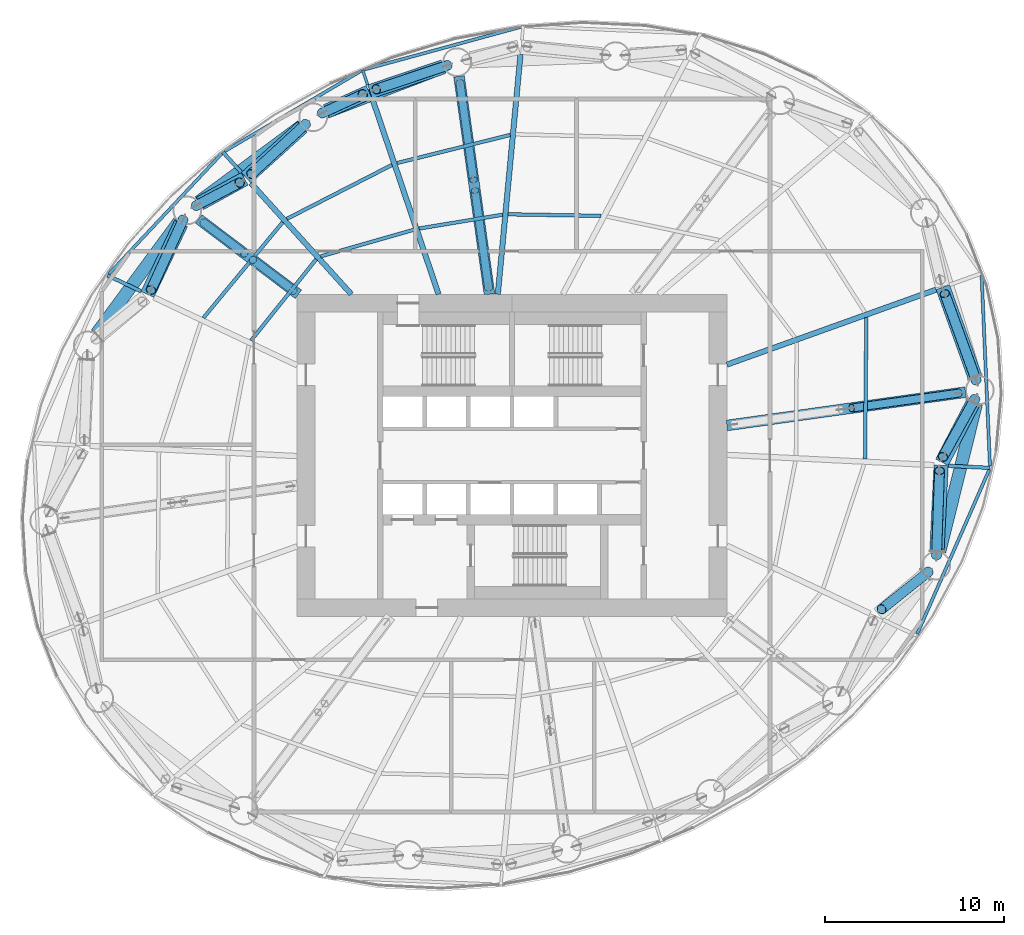
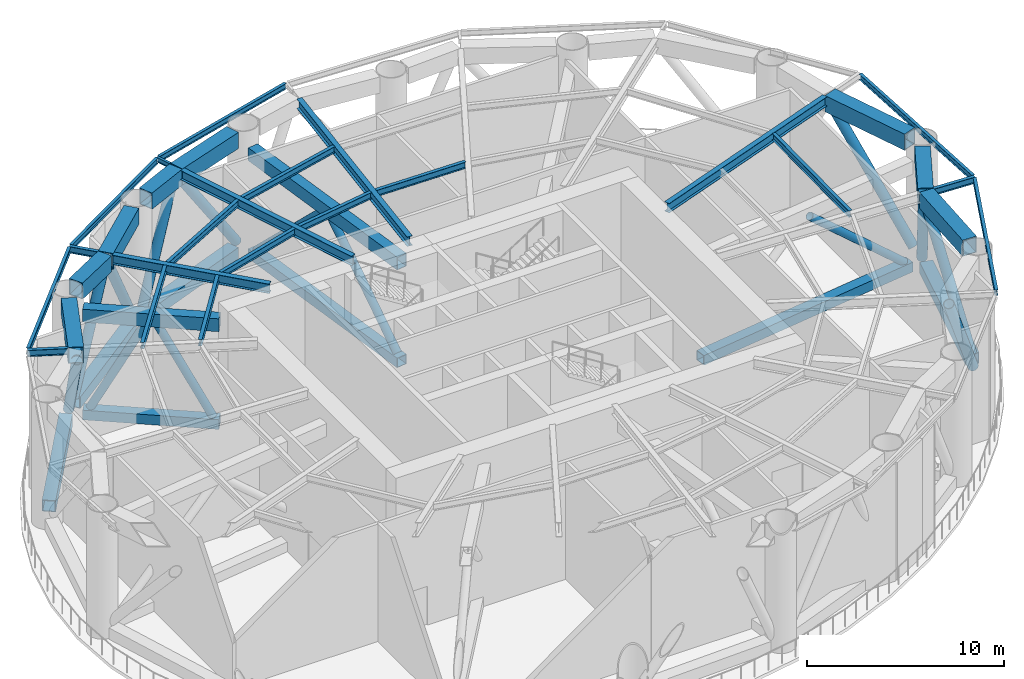
# One storey, part 3 of 15: 31 members, 21 beams.
"""IFC4 building model written with IfcOpenShell, lengths in metres."""

from ifc_helpers import new_model, si_unit, direction, frame, origin, origin_2d, place, context, subcontext, project, spatial, hollow_rectangle, hollow_circle, i_section, extrude, material, material_profile, profile_set, type_object, element, save


model = new_model("IFC4")

# Units and contexts
model_context = context("Model", 3, precision=1e-05, world=origin(), true_north=direction((0.0, 1.0)))
body_context = subcontext(model_context, "Body", "Model", "MODEL_VIEW")
ifc_project = project(units=[si_unit("LENGTHUNIT", "METRE"), si_unit("AREAUNIT", "SQUARE_METRE"), si_unit("VOLUMEUNIT", "CUBIC_METRE"), si_unit("PLANEANGLEUNIT", "RADIAN"), si_unit("MASSUNIT", "GRAM", prefix="KILO")], contexts=[model_context])

# Site, building, storey
site_placement = place(None, origin())
site = spatial("IfcSite", under=ifc_project, at=site_placement, CompositionType="ELEMENT")
building_placement = place(site_placement, origin())
building = spatial("IfcBuilding", under=site, at=building_placement, Name="Vermilion Reach Broadcast Tower", CompositionType="ELEMENT")
storey_placement = place(building_placement, frame((0.0, 0.0, 135.39990234375)))
storey = spatial("IfcBuildingStorey", under=building, at=storey_placement, Name="L32", CompositionType="ELEMENT", Elevation=135.39990234375)

# Members
ifc_material_1 = material(Name="Steel S460NL", Category="steel")
ifc_material_profile_1 = material_profile(ifc_material_1, hollow_rectangle(XDim=0.699951171875, YDim=0.699951171875, WallThickness=0.034912109375, at=origin_2d()), Name="S460NL BOX 700x700x35")
ifc_profile_set_1 = profile_set([ifc_material_profile_1], Name="Steel S460NL")
member_type_1 = type_object("IfcMemberType", Name="BT2-BC BOX 700x700x35", PredefinedType="CHORD", material=ifc_profile_set_1)
member_1_placement = place(storey_placement, frame((-9.813232421875, 21.669677734375, 0.35009765625), z_axis=(-0.933939237212, -0.357431813353, 0.0), x_axis=(0.357431813353, -0.933939237212, 0.0)))
element("IfcMember", 1, at=member_1_placement, inside=storey, type_object=member_type_1, Name="Belt truss bottom chord BT2-BC04", PredefinedType="CHORD", context=body_context, shape_type="SweptSolid", body=[
    extrude(hollow_rectangle(XDim=0.699951171875, YDim=0.699951171875, WallThickness=0.034912109375, at=origin_2d()), origin(), (0.0, 0.0, 1.0), 7.001953125),
])
member_2_placement = place(storey_placement, frame((-17.74267578125, 18.4052734375, 0.35009765625), z_axis=(-0.803832742218, -0.594855379515, 0.0), x_axis=(0.594855379515, -0.803832742218, 0.0)))
element("IfcMember", 2, at=member_2_placement, inside=storey, type_object=member_type_1, Name="Belt truss bottom chord BT2-BC05", PredefinedType="CHORD", context=body_context, shape_type="SweptSolid", body=[
    extrude(hollow_rectangle(XDim=0.699951171875, YDim=0.699951171875, WallThickness=0.034912109375, at=origin_2d()), origin(), (0.0, 0.0, 1.0), 7.13916015625),
])
member_3_placement = place(storey_placement, frame((-24.59912109375, 13.03857421875, 0.35009765625), z_axis=(-0.593250534798, -0.80501788984, 0.0), x_axis=(0.80501788984, -0.593250534798, 0.0)))
element("IfcMember", 3, at=member_3_placement, inside=storey, type_object=member_type_1, Name="Belt truss bottom chord BT2-BC06", PredefinedType="CHORD", context=body_context, shape_type="SweptSolid", body=[
    extrude(hollow_rectangle(XDim=0.699951171875, YDim=0.699951171875, WallThickness=0.034912109375, at=origin_2d()), origin(), (0.0, 0.0, 1.0), 7.76220703125),
])
member_4_placement = place(storey_placement, frame((17.871337890625, -5.369384765625, 0.35009765625), z_axis=(0.240863809798, 0.970558924089, 0.0), x_axis=(-0.970558924089, 0.240863809798, 0.0)))
element("IfcMember", 4, at=member_4_placement, inside=storey, type_object=member_type_1, Name="Belt truss bottom chord BT2-BC15", PredefinedType="CHORD", context=body_context, shape_type="SweptSolid", body=[
    extrude(hollow_rectangle(XDim=0.699951171875, YDim=0.699951171875, WallThickness=0.034912109375, at=origin_2d()), origin(), (0.0, 0.0, 1.0), 8.489013671875),
])
ifc_material_2 = material(Name="Steel S355J2H", Category="steel")
ifc_material_profile_2 = material_profile(ifc_material_2, hollow_circle(Radius=0.279541015625, WallThickness=0.02490234375, at=origin_2d()), Name="S355J2H CHS 559x25")
ifc_profile_set_2 = profile_set([ifc_material_profile_2], Name="Steel S355J2H")
member_type_2 = type_object("IfcMemberType", Name="BT2-D CHS 559x25", PredefinedType="BRACE", material=ifc_profile_set_2)
member_5_placement = place(storey_placement, frame((-9.587646484375, 21.781005859375, 0.800048828125), z_axis=(-0.54205933299, -0.181670298325, 0.820467904446), x_axis=(0.317776198984, -0.948165748885, 0.0)))
element("IfcMember", 5, at=member_5_placement, inside=storey, type_object=member_type_2, Name="Belt truss diagonal BT2-D04A", PredefinedType="BRACE", context=body_context, shape_type="SweptSolid", body=[
    extrude(hollow_circle(Radius=0.279541015625, WallThickness=0.02490234375, at=origin_2d()), origin(), (0.0, 0.0, 1.0), 7.36181640625),
])
member_6_placement = place(storey_placement, frame((-16.60009765625, 19.111083984375, 0.800048828125), z_axis=(0.347921319592, 0.160070690823, 0.92375761394), x_axis=(-0.417963544669, 0.908463799679, 0.0)))
element("IfcMember", 6, at=member_6_placement, inside=storey, type_object=member_type_2, Name="Belt truss diagonal BT2-D04B", PredefinedType="BRACE", context=body_context, shape_type="SweptSolid", body=[
    extrude(hollow_circle(Radius=0.279541015625, WallThickness=0.02490234375, at=origin_2d()), origin(), (0.0, 0.0, 1.0), 6.53857421875),
])
member_7_placement = place(storey_placement, frame((-17.504638671875, 18.509033203125, 0.800048828125), z_axis=(-0.416752803634, -0.38275937223, 0.824507346015), x_axis=(0.676431080932, -0.736505935312, 0.0)))
element("IfcMember", 7, at=member_7_placement, inside=storey, type_object=member_type_2, Name="Belt truss diagonal BT2-D05A", PredefinedType="BRACE", context=body_context, shape_type="SweptSolid", body=[
    extrude(hollow_circle(Radius=0.279541015625, WallThickness=0.02490234375, at=origin_2d()), origin(), (0.0, 0.0, 1.0), 7.32568359375),
])
member_8_placement = place(storey_placement, frame((-23.638427734375, 13.93994140625, 0.800048828125), z_axis=(0.36714105046, 0.194178456433, 0.909671466038), x_axis=(-0.467529731574, 0.883977347048, 0.0)))
element("IfcMember", 8, at=member_8_placement, inside=storey, type_object=member_type_2, Name="Belt truss diagonal BT2-D05B", PredefinedType="BRACE", context=body_context, shape_type="SweptSolid", body=[
    extrude(hollow_circle(Radius=0.279541015625, WallThickness=0.02490234375, at=origin_2d()), origin(), (0.0, 0.0, 1.0), 6.639892578125),
])
member_9_placement = place(storey_placement, frame((-24.3525390625, 13.18212890625, 0.800048828125), z_axis=(-0.241814934751, -0.530935777861, 0.812177774332), x_axis=(0.91005596533, -0.414485391741, 0.0)))
element("IfcMember", 9, at=member_9_placement, inside=storey, type_object=member_type_2, Name="Belt truss diagonal BT2-D06A", PredefinedType="BRACE", context=body_context, shape_type="SweptSolid", body=[
    extrude(hollow_circle(Radius=0.279541015625, WallThickness=0.02490234375, at=origin_2d()), origin(), (0.0, 0.0, 1.0), 7.436767578125),
])
member_10_placement = place(storey_placement, frame((17.249267578125, -6.489501953125, 0.800048828125), z_axis=(-0.379593901985, -0.303830533626, 0.873839502662), x_axis=(0.624889928579, -0.780712864734, 0.0)))
element("IfcMember", 10, at=member_10_placement, inside=storey, type_object=member_type_2, Name="Belt truss diagonal BT2-D14B", PredefinedType="BRACE", context=body_context, shape_type="SweptSolid", body=[
    extrude(hollow_circle(Radius=0.279541015625, WallThickness=0.02490234375, at=origin_2d()), origin(), (0.0, 0.0, 1.0), 6.912109375),
])
member_11_placement = place(storey_placement, frame((17.69775390625, -5.59619140625, 0.800048828125), z_axis=(0.021515920098, 0.617510084939, 0.786268631055), x_axis=(-0.999393533909, 0.034821895134, 0.0)))
element("IfcMember", 11, at=member_11_placement, inside=storey, type_object=member_type_2, Name="Belt truss diagonal BT2-D15A", PredefinedType="BRACE", context=body_context, shape_type="SweptSolid", body=[
    extrude(hollow_circle(Radius=0.279541015625, WallThickness=0.02490234375, at=origin_2d()), origin(), (0.0, 0.0, 1.0), 7.681884765625),
])
member_12_placement = place(storey_placement, frame((19.84326171875, 3.16455078125, 0.800048828125), z_axis=(-0.252322720292, -0.457462022461, 0.852679155856), x_axis=(0.875634448009, -0.482974443899, 0.0)))
element("IfcMember", 12, at=member_12_placement, inside=storey, type_object=member_type_2, Name="Belt truss diagonal BT2-D15B", PredefinedType="BRACE", context=body_context, shape_type="SweptSolid", body=[
    extrude(hollow_circle(Radius=0.279541015625, WallThickness=0.02490234375, at=origin_2d()), origin(), (0.0, 0.0, 1.0), 7.08349609375),
])
member_13_placement = place(storey_placement, frame((19.921630859375, 4.163330078125, 0.800048828125), z_axis=(-0.221551776768, 0.612159126171, 0.759062589288), x_axis=(-0.940311100028, -0.34031608126, 0.0)))
element("IfcMember", 13, at=member_13_placement, inside=storey, type_object=member_type_2, Name="Belt truss diagonal BT2-D16A", PredefinedType="BRACE", context=body_context, shape_type="SweptSolid", body=[
    extrude(hollow_circle(Radius=0.279541015625, WallThickness=0.02490234375, at=origin_2d()), origin(), (0.0, 0.0, 1.0), 7.957275390625),
])
ifc_material_3 = material(Name="Steel S460NL", Category="steel")
ifc_material_profile_3 = material_profile(ifc_material_3, hollow_rectangle(XDim=0.800048828125, YDim=1.0, WallThickness=0.0400390625, at=origin_2d()), Name="S460NL BOX 800x1000x40")
ifc_profile_set_3 = profile_set([ifc_material_profile_3], Name="Steel S460NL")
member_type_3 = type_object("IfcMemberType", Name="BT2-TC BOX 800x1000x40", PredefinedType="CHORD", material=ifc_profile_set_3)
member_14_placement = place(storey_placement, frame((-9.833251953125, 21.69580078125, 7.35009765625), z_axis=(-0.947136273639, -0.32083154327, 0.0), x_axis=(0.32083154327, -0.947136273639, 0.0)))
element("IfcMember", 14, at=member_14_placement, inside=storey, type_object=member_type_3, Name="Belt truss top chord BT2-TC07", PredefinedType="CHORD", context=body_context, shape_type="SweptSolid", body=[
    extrude(hollow_rectangle(XDim=0.800048828125, YDim=1.0, WallThickness=0.0400390625, at=origin_2d()), origin(), (0.0, 0.0, 1.0), 4.32373046875),
])
member_15_placement = place(storey_placement, frame((-13.973876953125, 20.290771484375, 7.35009765625), z_axis=(-0.911591551813, -0.411097120718, 0.0), x_axis=(0.411097120718, -0.911591551813, 0.0)))
element("IfcMember", 15, at=member_15_placement, inside=storey, type_object=member_type_3, Name="Belt truss top chord BT2-TC08", PredefinedType="CHORD", context=body_context, shape_type="SweptSolid", body=[
    extrude(hollow_rectangle(XDim=0.800048828125, YDim=1.0, WallThickness=0.0400390625, at=origin_2d()), origin(), (0.0, 0.0, 1.0), 2.618896484375),
])
member_16_placement = place(storey_placement, frame((-17.70068359375, 18.338134765625, 7.35009765625), z_axis=(-0.742108197147, -0.670280108408, 0.0), x_axis=(0.670280108408, -0.742108197147, 0.0)))
element("IfcMember", 16, at=member_16_placement, inside=storey, type_object=member_type_3, Name="Belt truss top chord BT2-TC09", PredefinedType="CHORD", context=body_context, shape_type="SweptSolid", body=[
    extrude(hollow_rectangle(XDim=0.800048828125, YDim=1.0, WallThickness=0.0400390625, at=origin_2d()), origin(), (0.0, 0.0, 1.0), 4.231689453125),
])
member_17_placement = place(storey_placement, frame((-20.92431640625, 15.4423828125, 7.35009765625), z_axis=(-0.87627212557, -0.481816523118, 0.0), x_axis=(0.481816523118, -0.87627212557, 0.0)))
element("IfcMember", 17, at=member_17_placement, inside=storey, type_object=member_type_3, Name="Belt truss top chord BT2-TC10", PredefinedType="CHORD", context=body_context, shape_type="SweptSolid", body=[
    extrude(hollow_rectangle(XDim=0.800048828125, YDim=1.0, WallThickness=0.0400390625, at=origin_2d()), origin(), (0.0, 0.0, 1.0), 2.842041015625),
])
member_18_placement = place(storey_placement, frame((-24.4716796875, 12.950927734375, 7.35009765625), z_axis=(-0.42869740345, -0.903448137015, 0.0), x_axis=(0.903448137015, -0.42869740345, 0.0)))
element("IfcMember", 18, at=member_18_placement, inside=storey, type_object=member_type_3, Name="Belt truss top chord BT2-TC11", PredefinedType="CHORD", context=body_context, shape_type="SweptSolid", body=[
    extrude(hollow_rectangle(XDim=0.800048828125, YDim=1.0, WallThickness=0.0400390625, at=origin_2d()), origin(), (0.0, 0.0, 1.0), 4.37890625),
])
member_19_placement = place(storey_placement, frame((17.718505859375, -5.336669921875, 7.35009765625), z_axis=(0.049382927853, 0.998779918919, 0.0), x_axis=(-0.998779918919, 0.049382927853, 0.0)))
element("IfcMember", 19, at=member_19_placement, inside=storey, type_object=member_type_3, Name="Belt truss top chord BT2-TC29", PredefinedType="CHORD", context=body_context, shape_type="SweptSolid", body=[
    extrude(hollow_rectangle(XDim=0.800048828125, YDim=1.0, WallThickness=0.0400390625, at=origin_2d()), origin(), (0.0, 0.0, 1.0), 4.78564453125),
])
member_20_placement = place(storey_placement, frame((18.00244140625, -0.3818359375, 7.35009765625), z_axis=(0.463401202932, 0.886148590882, 0.0), x_axis=(-0.886148590882, 0.463401202932, 0.0)))
element("IfcMember", 20, at=member_20_placement, inside=storey, type_object=member_type_3, Name="Belt truss top chord BT2-TC30", PredefinedType="CHORD", context=body_context, shape_type="SweptSolid", body=[
    extrude(hollow_rectangle(XDim=0.800048828125, YDim=1.0, WallThickness=0.0400390625, at=origin_2d()), origin(), (0.0, 0.0, 1.0), 3.7353515625),
])
member_21_placement = place(storey_placement, frame((19.83544921875, 4.40869140625, 7.35009765625), z_axis=(-0.337428908349, 0.941351014134, 0.0), x_axis=(-0.941351014134, -0.337428908349, 0.0)))
element("IfcMember", 21, at=member_21_placement, inside=storey, type_object=member_type_3, Name="Belt truss top chord BT2-TC31", PredefinedType="CHORD", context=body_context, shape_type="SweptSolid", body=[
    extrude(hollow_rectangle(XDim=0.800048828125, YDim=1.0, WallThickness=0.0400390625, at=origin_2d()), origin(), (0.0, 0.0, 1.0), 5.29345703125),
])

# Beams
ifc_material_4 = material(Name="Steel S355J2", Category="steel")
ifc_material_profile_4 = material_profile(ifc_material_4, i_section(OverallWidth=0.175048828125, OverallDepth=0.35009765625, WebThickness=0.007080078125, FlangeThickness=0.010986328125, at=origin_2d()), Name="S355J2 HN 350x175x7x11")
ifc_profile_set_4 = profile_set([ifc_material_profile_4], Name="Steel S355J2")
beam_type_1 = type_object("IfcBeamType", Name="EB3 HN 350x175x7x11", PredefinedType="BEAM", material=ifc_profile_set_4)
beam_1_placement = place(storey_placement, frame((-5.4541015625, 23.937255859375, 7.675048828125), z_axis=(-0.96489140784, -0.262649140634, 0.0), x_axis=(0.262649140634, -0.96489140784, 0.0)))
element("IfcBeam", 22, at=beam_1_placement, inside=storey, type_object=beam_type_1, Name="Edge beam EB3-03", PredefinedType="BEAM", context=body_context, shape_type="SweptSolid", body=[
    extrude(i_section(OverallWidth=0.175048828125, OverallDepth=0.35009765625, WebThickness=0.007080078125, FlangeThickness=0.010986328125, at=origin_2d()), origin(), (0.0, 0.0, 1.0), 9.132568359375),
])
beam_2_placement = place(storey_placement, frame((-14.404541015625, 21.479736328125, 7.675048828125), z_axis=(-0.861579978864, -0.507621847462, 0.0), x_axis=(0.507621847462, -0.861579978864, 0.0)))
element("IfcBeam", 23, at=beam_2_placement, inside=storey, type_object=beam_type_1, Name="Edge beam EB3-04", PredefinedType="BEAM", context=body_context, shape_type="SweptSolid", body=[
    extrude(i_section(OverallWidth=0.175048828125, OverallDepth=0.35009765625, WebThickness=0.007080078125, FlangeThickness=0.010986328125, at=origin_2d()), origin(), (0.0, 0.0, 1.0), 8.864013671875),
])
beam_3_placement = place(storey_placement, frame((-22.1982421875, 16.855224609375, 7.675048828125), z_axis=(-0.684107561693, -0.729381137702, 0.0), x_axis=(0.729381137702, -0.684107561693, 0.0)))
element("IfcBeam", 24, at=beam_3_placement, inside=storey, type_object=beam_type_1, Name="Edge beam EB3-05", PredefinedType="BEAM", context=body_context, shape_type="SweptSolid", body=[
    extrude(i_section(OverallWidth=0.175048828125, OverallDepth=0.35009765625, WebThickness=0.007080078125, FlangeThickness=0.010986328125, at=origin_2d()), origin(), (0.0, 0.0, 1.0), 9.22119140625),
])
beam_4_placement = place(storey_placement, frame((16.61865234375, -9.961181640625, 7.675048828125), z_axis=(0.401695928161, 0.915773105796, 0.0), x_axis=(-0.915773105796, 0.401695928161, 0.0)))
element("IfcBeam", 25, at=beam_4_placement, inside=storey, type_object=beam_type_1, Name="Edge beam EB3-14", PredefinedType="BEAM", context=body_context, shape_type="SweptSolid", body=[
    extrude(i_section(OverallWidth=0.175048828125, OverallDepth=0.35009765625, WebThickness=0.007080078125, FlangeThickness=0.010986328125, at=origin_2d()), origin(), (0.0, 0.0, 1.0), 10.014892578125),
])
beam_5_placement = place(storey_placement, frame((20.68017578125, -0.591552734375, 7.675048828125), z_axis=(-0.043778033411, 0.999041282326, 0.0), x_axis=(-0.999041282326, -0.043778033411, 0.0)))
element("IfcBeam", 26, at=beam_5_placement, inside=storey, type_object=beam_type_1, Name="Edge beam EB3-15", PredefinedType="BEAM", context=body_context, shape_type="SweptSolid", body=[
    extrude(i_section(OverallWidth=0.175048828125, OverallDepth=0.35009765625, WebThickness=0.007080078125, FlangeThickness=0.010986328125, at=origin_2d()), origin(), (0.0, 0.0, 1.0), 10.662841796875),
])
ifc_material_5 = material(Name="Steel S355J2", Category="steel")
ifc_material_profile_5 = material_profile(ifc_material_5, i_section(OverallWidth=0.300048828125, OverallDepth=0.587890625, WebThickness=0.011962890625, FlangeThickness=0.02001953125, at=origin_2d()), Name="S355J2 HM 588x300x12x20")
ifc_profile_set_5 = profile_set([ifc_material_profile_5], Name="Steel S355J2")
beam_type_2 = type_object("IfcBeamType", Name="G3 HM 588x300x12x20", PredefinedType="BEAM", material=ifc_profile_set_5)
beam_6_placement = place(storey_placement, frame((-6.791259765625, 9.0, 7.55615234375), z_axis=(0.094155720753, 0.995557482142, 0.0), x_axis=(-0.995557482142, 0.094155720753, 0.0)))
element("IfcBeam", 27, at=beam_6_placement, inside=storey, type_object=beam_type_2, Name="Girder G3-03", PredefinedType="BEAM", context=body_context, shape_type="SweptSolid", body=[
    extrude(i_section(OverallWidth=0.300048828125, OverallDepth=0.587890625, WebThickness=0.011962890625, FlangeThickness=0.02001953125, at=origin_2d()), origin(), (0.0, 0.0, 1.0), 13.454833984375),
])
beam_7_placement = place(storey_placement, frame((-10.09765625, 9.0, 7.55615234375), z_axis=(-0.320857235747, 0.947127570219, 0.0), x_axis=(-0.947127570219, -0.320857235747, 0.0)))
element("IfcBeam", 28, at=beam_7_placement, inside=storey, type_object=beam_type_2, Name="Girder G3-04", PredefinedType="BEAM", context=body_context, shape_type="SweptSolid", body=[
    extrude(i_section(OverallWidth=0.300048828125, OverallDepth=0.587890625, WebThickness=0.011962890625, FlangeThickness=0.02001953125, at=origin_2d()), origin(), (0.0, 0.0, 1.0), 11.539794921875),
])
beam_8_placement = place(storey_placement, frame((-14.96826171875, 9.0, 7.55615234375), z_axis=(-0.670294557499, 0.742095146317, 0.0), x_axis=(-0.742095146317, -0.670294557499, 0.0)))
element("IfcBeam", 29, at=beam_8_placement, inside=storey, type_object=beam_type_2, Name="Girder G3-05", PredefinedType="BEAM", context=body_context, shape_type="SweptSolid", body=[
    extrude(i_section(OverallWidth=0.300048828125, OverallDepth=0.587890625, WebThickness=0.011962890625, FlangeThickness=0.02001953125, at=origin_2d()), origin(), (0.0, 0.0, 1.0), 8.361328125),
])
beam_9_placement = place(storey_placement, frame((6.0, 5.072509765625, 7.55615234375), z_axis=(0.941352856271, 0.337423769154, 0.0), x_axis=(-0.337423769154, 0.941352856271, 0.0)))
element("IfcBeam", 30, at=beam_9_placement, inside=storey, type_object=beam_type_2, Name="Girder G3-16", PredefinedType="BEAM", context=body_context, shape_type="SweptSolid", body=[
    extrude(i_section(OverallWidth=0.300048828125, OverallDepth=0.587890625, WebThickness=0.011962890625, FlangeThickness=0.02001953125, at=origin_2d()), origin(), (0.0, 0.0, 1.0), 12.400146484375),
])
ifc_material_6 = material(Name="Steel S355J2", Category="steel")
ifc_material_profile_6 = material_profile(ifc_material_6, i_section(OverallWidth=0.199951171875, OverallDepth=0.39990234375, WebThickness=0.008056640625, FlangeThickness=0.012939453125, at=origin_2d()), Name="S355J2 HN 400x200x8x13")
ifc_profile_set_6 = profile_set([ifc_material_profile_6], Name="Steel S355J2")
beam_type_3 = type_object("IfcBeamType", Name="GC3 HN 400x200x8x13", PredefinedType="BEAM", material=ifc_profile_set_6)
beam_10_placement = place(storey_placement, frame((-21.109130859375, 15.798583984375, 7.650146484375), z_axis=(-0.670186537574, 0.742192700621, 0.0), x_axis=(-0.742192700621, -0.670186537574, 0.0)))
element("IfcBeam", 31, at=beam_10_placement, inside=storey, type_object=beam_type_3, Name="Cantilever girder GC3-05", PredefinedType="BEAM", context=body_context, shape_type="SweptSolid", body=[
    extrude(i_section(OverallWidth=0.199951171875, OverallDepth=0.39990234375, WebThickness=0.008056640625, FlangeThickness=0.012939453125, at=origin_2d()), origin(), (0.0, 0.0, 1.0), 1.5224609375),
])
beam_11_placement = place(storey_placement, frame((-26.710205078125, 9.166259765625, 7.650146484375), z_axis=(-0.90344673729, 0.428700353254, 0.0), x_axis=(-0.428700353254, -0.90344673729, 0.0)))
element("IfcBeam", 32, at=beam_11_placement, inside=storey, type_object=beam_type_3, Name="Cantilever girder GC3-06", PredefinedType="BEAM", context=body_context, shape_type="SweptSolid", body=[
    extrude(i_section(OverallWidth=0.199951171875, OverallDepth=0.39990234375, WebThickness=0.008056640625, FlangeThickness=0.012939453125, at=origin_2d()), origin(), (0.0, 0.0, 1.0), 2.06787109375),
])
beam_12_placement = place(storey_placement, frame((18.3544921875, -0.57666015625, 7.650146484375), z_axis=(0.998779332505, -0.049394786771, 0.0), x_axis=(0.049394786771, 0.998779332505, 0.0)))
element("IfcBeam", 33, at=beam_12_placement, inside=storey, type_object=beam_type_3, Name="Cantilever girder GC3-15", PredefinedType="BEAM", context=body_context, shape_type="SweptSolid", body=[
    extrude(i_section(OverallWidth=0.199951171875, OverallDepth=0.39990234375, WebThickness=0.008056640625, FlangeThickness=0.012939453125, at=origin_2d()), origin(), (0.0, 0.0, 1.0), 2.3330078125),
])
ifc_material_7 = material(Name="Steel S355J2", Category="steel")
ifc_material_profile_7 = material_profile(ifc_material_7, i_section(OverallWidth=0.14990234375, OverallDepth=0.300048828125, WebThickness=0.006591796875, FlangeThickness=0.009033203125, at=origin_2d()), Name="S355J2 HN 300x150x6.5x9")
ifc_profile_set_7 = profile_set([ifc_material_profile_7], Name="Steel S355J2")
beam_type_4 = type_object("IfcBeamType", Name="GS3 HN 300x150x6.5x9", PredefinedType="BEAM", material=ifc_profile_set_7)
beam_13_placement = place(storey_placement, frame((-14.056884765625, 20.6875, 7.7001953125), z_axis=(-0.320730560097, 0.947170474529, 0.0), x_axis=(-0.947170474529, -0.320730560097, 0.0)))
element("IfcBeam", 34, at=beam_13_placement, inside=storey, type_object=beam_type_4, Name="Cantilever stub GS3-04", PredefinedType="BEAM", context=body_context, shape_type="SweptSolid", body=[
    extrude(i_section(OverallWidth=0.14990234375, OverallDepth=0.300048828125, WebThickness=0.006591796875, FlangeThickness=0.009033203125, at=origin_2d()), origin(), (0.0, 0.0, 1.0), 0.877685546875),
])

# Members
ifc_material_8 = material(Name="Steel S460NL", Category="steel")
ifc_material_profile_8 = material_profile(ifc_material_8, hollow_rectangle(XDim=0.60009765625, YDim=0.60009765625, WallThickness=0.030029296875, at=origin_2d()), Name="S460NL BOX 600x600x30")
ifc_profile_set_8 = profile_set([ifc_material_profile_8], Name="Steel S460NL")
member_type_4 = type_object("IfcMemberType", Name="OR2-BC BOX 600x600x30", PredefinedType="CHORD", material=ifc_profile_set_8)
member_22_placement = place(storey_placement, frame((-7.2568359375, 9.0, 0.300048828125), z_axis=(-0.138317561234, 0.990387930184, 0.0), x_axis=(-0.990387930184, -0.138317561234, 0.0)))
element("IfcMember", 35, at=member_22_placement, inside=storey, type_object=member_type_4, Name="Outrigger bottom chord OR2-04", PredefinedType="CHORD", context=body_context, shape_type="SweptSolid", body=[
    extrude(hollow_rectangle(XDim=0.60009765625, YDim=0.60009765625, WallThickness=0.030029296875, at=origin_2d()), origin(), (0.0, 0.0, 1.0), 12.281494140625),
])
member_23_placement = place(storey_placement, frame((-17.921630859375, 9.0, 0.300048828125), z_axis=(-0.798113534072, 0.602507084382, 0.0), x_axis=(-0.602507084382, -0.798113534072, 0.0)))
element("IfcMember", 36, at=member_23_placement, inside=storey, type_object=member_type_4, Name="Outrigger bottom chord OR2-06", PredefinedType="CHORD", context=body_context, shape_type="SweptSolid", body=[
    extrude(hollow_rectangle(XDim=0.60009765625, YDim=0.60009765625, WallThickness=0.030029296875, at=origin_2d()), origin(), (0.0, 0.0, 1.0), 6.971923828125),
])
member_24_placement = place(storey_placement, frame((6.0, 1.67578125, 0.300048828125), z_axis=(0.990389457618, 0.138306623986, 0.0), x_axis=(-0.138306623986, 0.990389457618, 0.0)))
element("IfcMember", 37, at=member_24_placement, inside=storey, type_object=member_type_4, Name="Outrigger bottom chord OR2-16", PredefinedType="CHORD", context=body_context, shape_type="SweptSolid", body=[
    extrude(hollow_rectangle(XDim=0.60009765625, YDim=0.60009765625, WallThickness=0.030029296875, at=origin_2d()), origin(), (0.0, 0.0, 1.0), 13.445556640625),
])
ifc_material_9 = material(Name="Steel S355J2H", Category="steel")
ifc_material_profile_9 = material_profile(ifc_material_9, hollow_circle(Radius=0.228515625, WallThickness=0.02001953125, at=origin_2d()), Name="S355J2H CHS 457x20")
ifc_profile_set_9 = profile_set([ifc_material_profile_9], Name="Steel S355J2H")
member_type_5 = type_object("IfcMemberType", Name="OR2-D CHS 457x20", PredefinedType="BRACE", material=ifc_profile_set_9)
member_25_placement = place(storey_placement, frame((-7.30517578125, 9.3466796875, 0.60009765625), z_axis=(-0.098176142536, 0.70291719667, 0.704463526141), x_axis=(-0.990386629439, -0.138326874571, 0.0)))
element("IfcMember", 38, at=member_25_placement, inside=storey, type_object=member_type_5, Name="Outrigger diagonal OR2-04-DA", PredefinedType="BRACE", context=body_context, shape_type="SweptSolid", body=[
    extrude(hollow_circle(Radius=0.228515625, WallThickness=0.02001953125, at=origin_2d()), origin(), (0.0, 0.0, 1.0), 7.736328125),
])
member_26_placement = place(storey_placement, frame((-8.906982421875, 20.816650390625, 0.60009765625), z_axis=(0.098147065951, -0.702903408339, 0.704481335445), x_axis=(0.990391869617, 0.138289350986, 0.0)))
element("IfcMember", 39, at=member_26_placement, inside=storey, type_object=member_type_5, Name="Outrigger diagonal OR2-04-DB", PredefinedType="BRACE", context=body_context, shape_type="SweptSolid", body=[
    extrude(hollow_circle(Radius=0.228515625, WallThickness=0.02001953125, at=origin_2d()), origin(), (0.0, 0.0, 1.0), 7.736083984375),
])
member_27_placement = place(storey_placement, frame((-18.201171875, 9.2109375, 0.60009765625), z_axis=(-0.368380980712, 0.278133601295, 0.887094782355), x_axis=(-0.602559025616, -0.798074320254, 0.0)))
element("IfcMember", 40, at=member_27_placement, inside=storey, type_object=member_type_5, Name="Outrigger diagonal OR2-06-DA", PredefinedType="BRACE", context=body_context, shape_type="SweptSolid", body=[
    extrude(hollow_circle(Radius=0.228515625, WallThickness=0.02001953125, at=origin_2d()), origin(), (0.0, 0.0, 1.0), 6.1435546875),
])
member_28_placement = place(storey_placement, frame((-23.206787109375, 12.98974609375, 0.60009765625), z_axis=(0.368415326237, -0.278129529536, 0.887081795662), x_axis=(0.602517627059, 0.798105575149, 0.0)))
element("IfcMember", 41, at=member_28_placement, inside=storey, type_object=member_type_5, Name="Outrigger diagonal OR2-06-DB", PredefinedType="BRACE", context=body_context, shape_type="SweptSolid", body=[
    extrude(hollow_circle(Radius=0.228515625, WallThickness=0.02001953125, at=origin_2d()), origin(), (0.0, 0.0, 1.0), 6.143798828125),
])
member_29_placement = place(storey_placement, frame((18.969970703125, 3.487060546875, 0.60009765625), z_axis=(-0.737101993663, -0.102923804928, 0.667897702734), x_axis=(0.138291404653, -0.99039158286, 0.0)))
element("IfcMember", 42, at=member_29_placement, inside=storey, type_object=member_type_5, Name="Outrigger diagonal OR2-16-DB", PredefinedType="BRACE", context=body_context, shape_type="SweptSolid", body=[
    extrude(hollow_circle(Radius=0.228515625, WallThickness=0.02001953125, at=origin_2d()), origin(), (0.0, 0.0, 1.0), 8.159912109375),
])
ifc_material_10 = material(Name="Steel S460NL", Category="steel")
ifc_material_profile_10 = material_profile(ifc_material_10, hollow_rectangle(XDim=0.60009765625, YDim=0.800048828125, WallThickness=0.030029296875, at=origin_2d()), Name="S460NL BOX 600x800x30")
ifc_profile_set_10 = profile_set([ifc_material_profile_10], Name="Steel S460NL")
member_type_6 = type_object("IfcMemberType", Name="OR2-TC BOX 600x800x30", PredefinedType="CHORD", material=ifc_profile_set_10)
member_30_placement = place(storey_placement, frame((-7.2568359375, 9.0, 6.4501953125), z_axis=(-0.138317561234, 0.990387930184, 0.0), x_axis=(-0.990387930184, -0.138317561234, 0.0)))
element("IfcMember", 43, at=member_30_placement, inside=storey, type_object=member_type_6, Name="Outrigger top chord OR2-04", PredefinedType="CHORD", context=body_context, shape_type="SweptSolid", body=[
    extrude(hollow_rectangle(XDim=0.60009765625, YDim=0.800048828125, WallThickness=0.030029296875, at=origin_2d()), origin(), (0.0, 0.0, 1.0), 12.281494140625),
])
member_31_placement = place(storey_placement, frame((-17.921630859375, 9.0, 6.4501953125), z_axis=(-0.798113534072, 0.602507084382, 0.0), x_axis=(-0.602507084382, -0.798113534072, 0.0)))
element("IfcMember", 44, at=member_31_placement, inside=storey, type_object=member_type_6, Name="Outrigger top chord OR2-06", PredefinedType="CHORD", context=body_context, shape_type="SweptSolid", body=[
    extrude(hollow_rectangle(XDim=0.60009765625, YDim=0.800048828125, WallThickness=0.030029296875, at=origin_2d()), origin(), (0.0, 0.0, 1.0), 6.971923828125),
])

# Beams
ifc_material_11 = material(Name="Steel S355J2", Category="steel")
ifc_material_profile_11 = material_profile(ifc_material_11, i_section(OverallWidth=0.199951171875, OverallDepth=0.39990234375, WebThickness=0.008056640625, FlangeThickness=0.012939453125, at=origin_2d()), Name="S355J2 HN 400x200x8x13")
ifc_profile_set_11 = profile_set([ifc_material_profile_11], Name="Steel S355J2")
beam_type_5 = type_object("IfcBeamType", Name="SB3 HN 400x200x8x13", PredefinedType="BEAM", material=ifc_profile_set_11)
beam_14_placement = place(storey_placement, frame((-1.02490234375, 13.374755859375, 7.650146484375), z_axis=(-0.999857633218, 0.016873449458, 0.0), x_axis=(-0.016873449458, -0.999857633218, 0.0)))
element("IfcBeam", 45, at=beam_14_placement, inside=storey, type_object=beam_type_5, Name="Secondary beam SB3-02-1", PredefinedType="BEAM", context=body_context, shape_type="SweptSolid", body=[
    extrude(i_section(OverallWidth=0.199951171875, OverallDepth=0.39990234375, WebThickness=0.008056640625, FlangeThickness=0.012939453125, at=origin_2d()), origin(), (0.0, 0.0, 1.0), 5.1943359375),
])
beam_15_placement = place(storey_placement, frame((-6.52197265625, 13.439697265625, 7.650146484375), z_axis=(-0.986562435071, -0.163384704629, 0.0), x_axis=(0.163384704629, -0.986562435071, 0.0)))
element("IfcBeam", 46, at=beam_15_placement, inside=storey, type_object=beam_type_5, Name="Secondary beam SB3-03-1", PredefinedType="BEAM", context=body_context, shape_type="SweptSolid", body=[
    extrude(i_section(OverallWidth=0.199951171875, OverallDepth=0.39990234375, WebThickness=0.008056640625, FlangeThickness=0.012939453125, at=origin_2d()), origin(), (0.0, 0.0, 1.0), 4.723388671875),
])
beam_16_placement = place(storey_placement, frame((-6.10107421875, 17.8916015625, 7.650146484375), z_axis=(-0.970533859335, -0.240964785569, 0.0), x_axis=(0.240964785569, -0.970533859335, 0.0)))
element("IfcBeam", 47, at=beam_16_placement, inside=storey, type_object=beam_type_5, Name="Secondary beam SB3-03-2", PredefinedType="BEAM", context=body_context, shape_type="SweptSolid", body=[
    extrude(i_section(OverallWidth=0.199951171875, OverallDepth=0.39990234375, WebThickness=0.008056640625, FlangeThickness=0.012939453125, at=origin_2d()), origin(), (0.0, 0.0, 1.0), 6.5107421875),
])
beam_17_placement = place(storey_placement, frame((-11.476318359375, 12.601806640625, 7.650146484375), z_axis=(-0.961426785893, -0.275060966636, 0.0), x_axis=(0.275060966636, -0.961426785893, 0.0)))
element("IfcBeam", 48, at=beam_17_placement, inside=storey, type_object=beam_type_5, Name="Secondary beam SB3-04-1", PredefinedType="BEAM", context=body_context, shape_type="SweptSolid", body=[
    extrude(i_section(OverallWidth=0.199951171875, OverallDepth=0.39990234375, WebThickness=0.008056640625, FlangeThickness=0.012939453125, at=origin_2d()), origin(), (0.0, 0.0, 1.0), 5.407958984375),
])
beam_18_placement = place(storey_placement, frame((-12.700927734375, 16.21728515625, 7.650146484375), z_axis=(-0.889712572087, -0.456521126642, 0.0), x_axis=(0.456521126642, -0.889712572087, 0.0)))
element("IfcBeam", 49, at=beam_18_placement, inside=storey, type_object=beam_type_5, Name="Secondary beam SB3-04-2", PredefinedType="BEAM", context=body_context, shape_type="SweptSolid", body=[
    extrude(i_section(OverallWidth=0.199951171875, OverallDepth=0.39990234375, WebThickness=0.008056640625, FlangeThickness=0.012939453125, at=origin_2d()), origin(), (0.0, 0.0, 1.0), 6.5927734375),
])
beam_19_placement = place(storey_placement, frame((-16.931640625, 10.94970703125, 7.650146484375), z_axis=(-0.625545374114, -0.780187788244, 0.0), x_axis=(0.780187788244, -0.625545374114, 0.0)))
element("IfcBeam", 50, at=beam_19_placement, inside=storey, type_object=beam_type_5, Name="Secondary beam SB3-05-1", PredefinedType="BEAM", context=body_context, shape_type="SweptSolid", body=[
    extrude(i_section(OverallWidth=0.199951171875, OverallDepth=0.39990234375, WebThickness=0.008056640625, FlangeThickness=0.012939453125, at=origin_2d()), origin(), (0.0, 0.0, 1.0), 5.809814453125),
])
beam_20_placement = place(storey_placement, frame((-18.80126953125, 13.02001953125, 7.650146484375), z_axis=(-0.638000571254, -0.770035889475, 0.0), x_axis=(0.770035889475, -0.638000571254, 0.0)))
element("IfcBeam", 51, at=beam_20_placement, inside=storey, type_object=beam_type_5, Name="Secondary beam SB3-05-2", PredefinedType="BEAM", context=body_context, shape_type="SweptSolid", body=[
    extrude(i_section(OverallWidth=0.199951171875, OverallDepth=0.39990234375, WebThickness=0.008056640625, FlangeThickness=0.012939453125, at=origin_2d()), origin(), (0.0, 0.0, 1.0), 6.935791015625),
])
beam_21_placement = place(storey_placement, frame((13.705078125, -0.19677734375, 7.650146484375), z_axis=(0.009519257118, 0.999954690846, 0.0), x_axis=(-0.999954690846, 0.009519257118, 0.0)))
element("IfcBeam", 52, at=beam_21_placement, inside=storey, type_object=beam_type_5, Name="Secondary beam SB3-15-2", PredefinedType="BEAM", context=body_context, shape_type="SweptSolid", body=[
    extrude(i_section(OverallWidth=0.199951171875, OverallDepth=0.39990234375, WebThickness=0.008056640625, FlangeThickness=0.012939453125, at=origin_2d()), origin(), (0.0, 0.0, 1.0), 7.899169921875),
])

save(model, "model.ifc")
